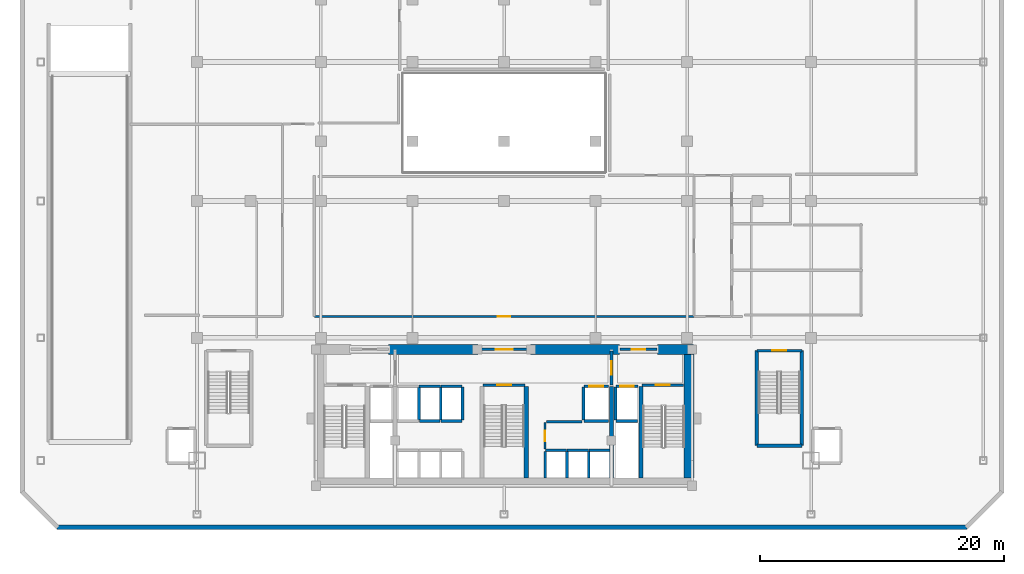
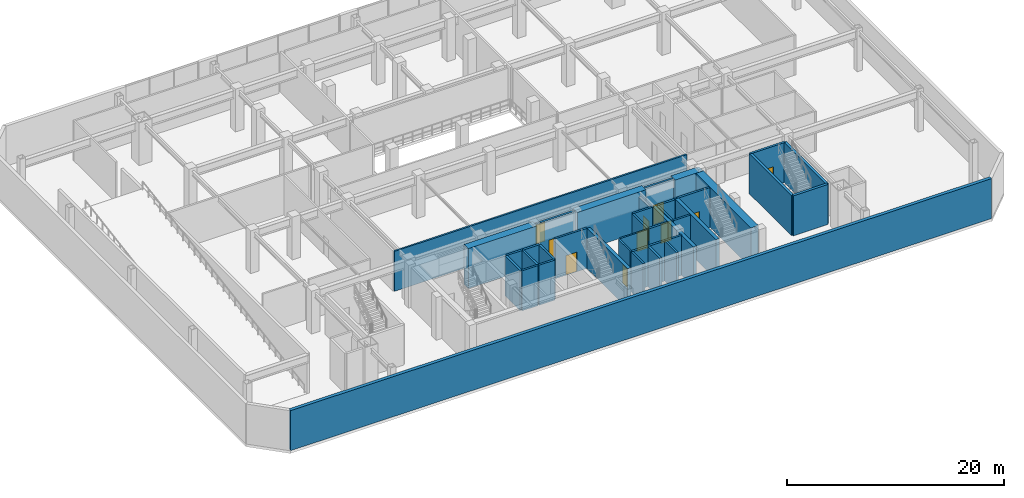
# One storey, part 11 of 15: 39 walls, 10 doors, 10 openings.
"""IFC4 building model written with IfcOpenShell, lengths in metres."""

from ifc_helpers import new_model, si_unit, direction, frame, frame_2d, origin, place, context, subcontext, project, spatial, rectangle, extrude, material, layer, layer_set, type_object, element, fill, save


model = new_model("IFC4")

# Units and contexts
model_context = context("Model", 3, precision=1e-05, world=origin(), true_north=direction((0.0, 1.0)))
body_context = subcontext(model_context, "Body", "Model", "MODEL_VIEW")
ifc_project = project(units=[si_unit("LENGTHUNIT", "METRE"), si_unit("AREAUNIT", "SQUARE_METRE"), si_unit("VOLUMEUNIT", "CUBIC_METRE"), si_unit("PLANEANGLEUNIT", "RADIAN"), si_unit("MASSUNIT", "GRAM", prefix="KILO")], contexts=[model_context])

# Site, building, storey
site_placement = place(None, origin())
site = spatial("IfcSite", under=ifc_project, at=site_placement, CompositionType="ELEMENT")
building_placement = place(site_placement, origin())
building = spatial("IfcBuilding", under=site, at=building_placement, Name="Ventersveld Concourse Tower", CompositionType="ELEMENT")
storey_placement = place(building_placement, frame((0.0, 0.0, 5.39990234375)))
storey = spatial("IfcBuildingStorey", under=building, at=storey_placement, Name="L01", CompositionType="ELEMENT", Elevation=5.39990234375)

# Walls
ifc_material_1 = material(Name="Concrete C60/75", Category="concrete")
ifc_layer_1 = layer(ifc_material_1, 0.35009765625)
ifc_layer_set_1 = layer_set([ifc_layer_1], Name="Concrete C60/75")
wall_type_1 = type_object("IfcWallType", Name="WL-CORE-350L", PredefinedType="SHEAR", material=ifc_layer_set_1)
for number, where, z_axis, x_axis, name in (
    (1, (30.56005859375, 0.919921875, 0.0), (0.0, 0.0, 1.0), (0.0, 1.0, 0.0), "L01 Core Internal Shear Web W-ST3-E"),
    (2, (37.550048828125, 0.919921875, 0.0), (0.0, 0.0, 1.0), (0.0, 1.0, 0.0), "L01 Core Internal Shear Web W-SVL-W"),
    (3, (39.9599609375, 0.919921875, 0.0), (0.0, 0.0, 1.0), (0.0, 1.0, 0.0), "L01 Core Internal Shear Web W-ST2-W"),
):
    element("IfcWall", number, at=place(storey_placement, frame(where, z_axis=z_axis, x_axis=x_axis)), inside=storey, type_object=wall_type_1, Name=name, PredefinedType="SHEAR", context=body_context, shape_type="SweptSolid", body=[
        extrude(rectangle(XDim=7.5, YDim=0.35009765625, at=frame_2d((3.75, 0.0))), origin(), (0.0, 0.0, 1.0), 4.5),
    ])
ifc_layer_2 = layer(ifc_material_1, 0.800048828125)
ifc_layer_set_2 = layer_set([ifc_layer_2], Name="Concrete C60/75")
wall_type_2 = type_object("IfcWallType", Name="WL-CORE-800", PredefinedType="SHEAR", material=ifc_layer_set_2)
wall_1_placement = place(storey_placement, frame((43.89990234375, 0.919921875, 0.0), z_axis=(0.0, 0.0, 1.0), x_axis=(0.0, 1.0, 0.0)))
element("IfcWall", 4, at=wall_1_placement, inside=storey, type_object=wall_type_2, Name="L01 Rear Core East Shear Wall", PredefinedType="SHEAR", context=body_context, shape_type="SweptSolid", body=[
    extrude(rectangle(XDim=10.530029296875, YDim=0.800048828125, at=frame_2d((5.26513671875, 0.0))), origin(), (0.0, 0.0, 1.0), 4.5),
])
for number, where, z_axis, x_axis, name in (
    (5, (19.300048828125, 11.449951171875, 0.0), (0.0, 0.0, 1.0), (1.0, 0.0, 0.0), "L01 Rear Core North Shear Wall NML"),
    (6, (30.89990234375, 11.449951171875, 0.0), (0.0, 0.0, 1.0), (1.0, 0.0, 0.0), "L01 Rear Core North Shear Wall NMR"),
):
    element("IfcWall", number, at=place(storey_placement, frame(where, z_axis=z_axis, x_axis=x_axis)), inside=storey, type_object=wall_type_2, Name=name, PredefinedType="SHEAR", context=body_context, shape_type="SweptSolid", body=[
        extrude(rectangle(XDim=7.300048828125, YDim=0.800048828125, at=frame_2d((3.64990234375, 0.0))), origin(), (0.0, 0.0, 1.0), 4.5),
    ])
wall_2_placement = place(storey_placement, frame((41.300048828125, 11.449951171875, 0.0), z_axis=(0.0, 0.0, 1.0), x_axis=(1.0, 0.0, 0.0)))
element("IfcWall", 7, at=wall_2_placement, inside=storey, type_object=wall_type_2, Name="L01 Rear Core North Shear Wall NE", PredefinedType="SHEAR", context=body_context, shape_type="SweptSolid", body=[
    extrude(rectangle(XDim=2.949951171875, YDim=0.800048828125, at=frame_2d((1.47509765625, 0.0))), origin(), (0.0, 0.0, 1.0), 4.5),
])

# Wall, opening, door
ifc_material_2 = material(Name="Fire-rated autoclaved aerated masonry blockwork", Category="masonry")
ifc_layer_3 = layer(ifc_material_2, 0.179931640625)
ifc_layer_set_3 = layer_set([ifc_layer_3], Name="Fire-rated autoclaved aerated masonry blockwork")
wall_type_3 = type_object("IfcWallType", Name="WL-CORR-180", PredefinedType="PARTITIONING", material=ifc_layer_set_3)
wall_3_placement = place(storey_placement, frame((32.10009765625, 3.280029296875, 0.0), z_axis=(0.0, 0.0, 1.0), x_axis=(0.0, 1.0, 0.0)))
wall_3 = element("IfcWall", 8, at=wall_3_placement, inside=storey, type_object=wall_type_3, Name="L01 Core Passage Wall SP-L01-CBAY2", PredefinedType="PARTITIONING", context=body_context, shape_type="SweptSolid", body=[
    extrude(rectangle(XDim=2.169921875, YDim=0.179931640625, at=frame_2d((1.0849609375, 0.0))), origin(), (0.0, 0.0, 1.0), 4.5),
])
opening_1_placement = place(wall_3_placement, frame((0.64501953125, 0.0, 0.0)))
opening_1 = element("IfcOpeningElement", 9, at=opening_1_placement, cuts=wall_3, Name="Opening FD5", PredefinedType="OPENING", context=body_context, shape_type="SweptSolid", body=[
    extrude(rectangle(XDim=0.8798828125, YDim=2.050048828125, at=frame_2d((0.43994140625, 1.02490234375))), frame((0.0, 0.10009765625, 0.0), z_axis=(0.0, -1.0, 0.0), x_axis=(1.0, 0.0, 0.0)), (0.0, 0.0, 1.0), 0.199951171875),
])
ifc_material_3 = material(Name="Galvanised painted steel", Category="steel")
door_type_1 = type_object("IfcDoorType", Name="DR-RISER-088", OperationType="NOTDEFINED", PredefinedType="DOOR", material=ifc_material_3)
door_1_placement = place(opening_1_placement, origin())
door_1 = element("IfcDoor", 10, at=door_1_placement, inside=storey, type_object=door_type_1, Name="L01 Core Room Door L01 Core Parcel and Mail Store (CD-L01-0085)", OperationType="SINGLE_SWING_RIGHT", OverallHeight=2.050048828125, OverallWidth=0.8798828125, PredefinedType="DOOR", context=body_context, shape_type="SweptSolid", body=[
    extrude(rectangle(XDim=0.8798828125, YDim=2.050048828125, at=frame_2d((0.43994140625, 1.02490234375))), frame((0.0, 0.02490234375, 0.0), z_axis=(0.0, -1.0, 0.0), x_axis=(1.0, 0.0, 0.0)), (0.0, 0.0, 1.0), 0.050048828125),
])
fill(opening_1, door_1)

# Wall
wall_4_placement = place(storey_placement, frame((32.219970703125, 5.530029296875, 0.0), z_axis=(0.0, 0.0, 1.0), x_axis=(1.0, 0.0, 0.0)))
element("IfcWall", 11, at=wall_4_placement, inside=storey, type_object=wall_type_3, Name="L01 Core Top Wall SP-L01-CBAY2", PredefinedType="PARTITIONING", context=body_context, shape_type="SweptSolid", body=[
    extrude(rectangle(XDim=2.900146484375, YDim=0.179931640625, at=frame_2d((1.4501953125, 0.0))), origin(), (0.0, 0.0, 1.0), 4.5),
])

# Wall, opening, door
wall_5_placement = place(storey_placement, frame((13.205078125, 14.14990234375, 0.0), z_axis=(0.0, 0.0, 1.0), x_axis=(1.0, 0.0, 0.0)))
wall_5 = element("IfcWall", 12, at=wall_5_placement, inside=storey, type_object=wall_type_3, Name="L01 Interior Partition SP-L01-GAL-SP-L01-RETC", PredefinedType="PARTITIONING", context=body_context, shape_type="SweptSolid", body=[
    extrude(rectangle(XDim=31.08984375, YDim=0.179931640625, at=frame_2d((15.544921875, 0.0))), origin(), (0.0, 0.0, 1.0), 4.5),
])
opening_2_placement = place(wall_5_placement, frame((15.044921875, 0.0, 0.0)))
opening_2 = element("IfcOpeningElement", 13, at=opening_2_placement, cuts=wall_5, Name="Opening FD3", PredefinedType="OPENING", context=body_context, shape_type="SweptSolid", body=[
    extrude(rectangle(XDim=1.0, YDim=2.14990234375, at=frame_2d((0.5, 1.074951171875))), frame((0.0, 0.10009765625, 0.0), z_axis=(0.0, -1.0, 0.0), x_axis=(1.0, 0.0, 0.0)), (0.0, 0.0, 1.0), 0.199951171875),
])
ifc_material_4 = material(Name="Solid-core hardwood veneer timber", Category="wood")
door_type_2 = type_object("IfcDoorType", Name="DR-FLAT-100", OperationType="NOTDEFINED", PredefinedType="DOOR", material=ifc_material_4)
door_2_placement = place(opening_2_placement, origin())
door_2 = element("IfcDoor", 14, at=door_2_placement, inside=storey, type_object=door_type_2, Name="L01 Interior Door SP-L01-GAL to SP-L01-RETC (D-L01-0086)", OperationType="SINGLE_SWING_RIGHT", OverallHeight=2.14990234375, OverallWidth=1.0, PredefinedType="DOOR", context=body_context, shape_type="SweptSolid", body=[
    extrude(rectangle(XDim=1.0, YDim=2.14990234375, at=frame_2d((0.5, 1.074951171875))), frame((0.0, 0.02490234375, 0.0), z_axis=(0.0, -1.0, 0.0), x_axis=(1.0, 0.0, 0.0)), (0.0, 0.0, 1.0), 0.050048828125),
])
fill(opening_2, door_2)

# Walls
ifc_layer_4 = layer(ifc_material_2, 0.219970703125)
ifc_layer_set_4 = layer_set([ifc_layer_4], Name="Fire-rated autoclaved aerated masonry blockwork")
wall_type_4 = type_object("IfcWallType", Name="WL-HOIST-220", PredefinedType="SOLIDWALL", material=ifc_layer_set_4)
wall_6_placement = place(storey_placement, frame((37.919921875, 5.590087890625, 0.0), z_axis=(0.0, 0.0, 1.0), x_axis=(1.0, 0.0, 0.0)))
element("IfcWall", 15, at=wall_6_placement, inside=storey, type_object=wall_type_4, Name="L01 Lift Hoistway Back Wall FFL-02", PredefinedType="SOLIDWALL", context=body_context, shape_type="SweptSolid", body=[
    extrude(rectangle(XDim=1.780029296875, YDim=0.219970703125, at=frame_2d((0.89013671875, 0.0))), origin(), (0.0, 0.0, 1.0), 4.5),
])
wall_7_placement = place(storey_placement, frame((37.8798828125, 5.64990234375, 0.0), z_axis=(0.0, 0.0, 1.0), x_axis=(0.0, 1.0, 0.0)))
element("IfcWall", 16, at=wall_7_placement, inside=storey, type_object=wall_type_4, Name="L01 Lift Hoistway Side Wall FFL-02W", PredefinedType="SOLIDWALL", context=body_context, shape_type="SweptSolid", body=[
    extrude(rectangle(XDim=2.7001953125, YDim=0.219970703125, at=frame_2d((1.35009765625, 0.0))), origin(), (0.0, 0.0, 1.0), 4.5),
])

# Wall, opening, door
wall_8_placement = place(storey_placement, frame((37.89990234375, 8.429931640625, 0.0), z_axis=(0.0, 0.0, 1.0), x_axis=(1.0, 0.0, 0.0)))
wall_8 = element("IfcWall", 17, at=wall_8_placement, inside=storey, type_object=wall_type_4, Name="L01 Lift Hoistway Front Wall FFL-02", PredefinedType="SOLIDWALL", context=body_context, shape_type="SweptSolid", body=[
    extrude(rectangle(XDim=1.820068359375, YDim=0.219970703125, at=frame_2d((0.91015625, 0.0))), origin(), (0.0, 0.0, 1.0), 4.5),
])
opening_3_placement = place(wall_8_placement, frame((0.35009765625, 0.0, 0.0)))
opening_3 = element("IfcOpeningElement", 18, at=opening_3_placement, cuts=wall_8, Name="Opening LD1", PredefinedType="OPENING", context=body_context, shape_type="SweptSolid", body=[
    extrude(rectangle(XDim=1.1201171875, YDim=2.25, at=frame_2d((0.56005859375, 1.125))), frame((0.0, 0.1201171875, 0.0), z_axis=(0.0, -1.0, 0.0), x_axis=(1.0, 0.0, 0.0)), (0.0, 0.0, 1.0), 0.239990234375),
])
ifc_material_5 = material(Name="Brushed stainless steel 316", Category="steel")
door_type_3 = type_object("IfcDoorType", Name="LD-FF-112", OperationType="SLIDING_TO_LEFT", PredefinedType="DOOR", material=ifc_material_5)
door_3_placement = place(opening_3_placement, origin())
door_3 = element("IfcDoor", 19, at=door_3_placement, inside=storey, type_object=door_type_3, Name="L01 Lift landing door FFL-02 (LD-L01-FFL-02)", OperationType="SLIDING_TO_RIGHT", OverallHeight=2.25, OverallWidth=1.1201171875, PredefinedType="DOOR", context=body_context, shape_type="SweptSolid", body=[
    extrude(rectangle(XDim=1.1201171875, YDim=2.25, at=frame_2d((0.56005859375, 1.125))), frame((0.0, 0.02490234375, 0.0), z_axis=(0.0, -1.0, 0.0), x_axis=(1.0, 0.0, 0.0)), (0.0, 0.0, 1.0), 0.050048828125),
])
fill(opening_3, door_3)

# Walls
wall_9_placement = place(storey_placement, frame((35.300048828125, 5.590087890625, 0.0), z_axis=(0.0, 0.0, 1.0), x_axis=(1.0, 0.0, 0.0)))
element("IfcWall", 20, at=wall_9_placement, inside=storey, type_object=wall_type_4, Name="L01 Lift Hoistway Back Wall SVL-01", PredefinedType="SOLIDWALL", context=body_context, shape_type="SweptSolid", body=[
    extrude(rectangle(XDim=2.0, YDim=0.219970703125, at=frame_2d((1.0, 0.0))), origin(), (0.0, 0.0, 1.0), 4.5),
])
wall_10_placement = place(storey_placement, frame((35.260009765625, 5.64990234375, 0.0), z_axis=(0.0, 0.0, 1.0), x_axis=(0.0, 1.0, 0.0)))
element("IfcWall", 21, at=wall_10_placement, inside=storey, type_object=wall_type_4, Name="L01 Lift Hoistway Side Wall SVL-01W", PredefinedType="SOLIDWALL", context=body_context, shape_type="SweptSolid", body=[
    extrude(rectangle(XDim=2.7001953125, YDim=0.219970703125, at=frame_2d((1.35009765625, 0.0))), origin(), (0.0, 0.0, 1.0), 4.5),
])

# Wall, opening, door
wall_11_placement = place(storey_placement, frame((35.280029296875, 8.429931640625, 0.0), z_axis=(0.0, 0.0, 1.0), x_axis=(1.0, 0.0, 0.0)))
wall_11 = element("IfcWall", 22, at=wall_11_placement, inside=storey, type_object=wall_type_4, Name="L01 Lift Hoistway Front Wall SVL-01", PredefinedType="SOLIDWALL", context=body_context, shape_type="SweptSolid", body=[
    extrude(rectangle(XDim=2.0400390625, YDim=0.219970703125, at=frame_2d((1.02001953125, 0.0))), origin(), (0.0, 0.0, 1.0), 4.5),
])
opening_4_placement = place(wall_11_placement, frame((0.429931640625, 0.0, 0.0)))
opening_4 = element("IfcOpeningElement", 23, at=opening_4_placement, cuts=wall_11, Name="Opening LD2", PredefinedType="OPENING", context=body_context, shape_type="SweptSolid", body=[
    extrude(rectangle(XDim=1.179931640625, YDim=2.199951171875, at=frame_2d((0.58984375, 1.10009765625))), frame((0.0, 0.1201171875, 0.0), z_axis=(0.0, -1.0, 0.0), x_axis=(1.0, 0.0, 0.0)), (0.0, 0.0, 1.0), 0.239990234375),
])
door_type_4 = type_object("IfcDoorType", Name="LD-PAX-118", OperationType="SLIDING_TO_LEFT", PredefinedType="DOOR", material=ifc_material_5)
door_4_placement = place(opening_4_placement, origin())
door_4 = element("IfcDoor", 24, at=door_4_placement, inside=storey, type_object=door_type_4, Name="L01 Lift landing door SVL-01 (LD-L01-SVL-01)", OperationType="SLIDING_TO_LEFT", OverallHeight=2.199951171875, OverallWidth=1.179931640625, PredefinedType="DOOR", context=body_context, shape_type="SweptSolid", body=[
    extrude(rectangle(XDim=1.179931640625, YDim=2.199951171875, at=frame_2d((0.58984375, 1.10009765625))), frame((0.0, 0.02490234375, 0.0), z_axis=(0.0, -1.0, 0.0), x_axis=(1.0, 0.0, 0.0)), (0.0, 0.0, 1.0), 0.050048828125),
])
fill(opening_4, door_4)

# Walls
for number, where, z_axis, x_axis, name in (
    (25, (32.1201171875, 0.89990234375, 0.0), (0.0, 0.0, 1.0), (0.0, 1.0, 0.0), "L01 Lift Hoistway Side Wall PM-01W"),
    (26, (33.89990234375, 0.89990234375, 0.0), (0.0, 0.0, 1.0), (0.0, 1.0, 0.0), "L01 Lift Hoistway Side Wall PM-01E"),
):
    element("IfcWall", number, at=place(storey_placement, frame(where, z_axis=z_axis, x_axis=x_axis)), inside=storey, type_object=wall_type_4, Name=name, PredefinedType="SOLIDWALL", context=body_context, shape_type="SweptSolid", body=[
        extrude(rectangle(XDim=2.2001953125, YDim=0.219970703125, at=frame_2d((1.10009765625, 0.0))), origin(), (0.0, 0.0, 1.0), 4.5),
    ])
wall_12_placement = place(storey_placement, frame((32.139892578125, 3.179931640625, 0.0), z_axis=(0.0, 0.0, 1.0), x_axis=(1.0, 0.0, 0.0)))
element("IfcWall", 27, at=wall_12_placement, inside=storey, type_object=wall_type_4, Name="L01 Lift Hoistway Front Wall PM-01", PredefinedType="SOLIDWALL", context=body_context, shape_type="SweptSolid", body=[
    extrude(rectangle(XDim=1.739990234375, YDim=0.219970703125, at=frame_2d((0.8701171875, 0.0))), origin(), (0.0, 0.0, 1.0), 4.5),
])
wall_13_placement = place(storey_placement, frame((35.679931640625, 0.89990234375, 0.0), z_axis=(0.0, 0.0, 1.0), x_axis=(0.0, 1.0, 0.0)))
element("IfcWall", 28, at=wall_13_placement, inside=storey, type_object=wall_type_4, Name="L01 Lift Hoistway Side Wall PM-02E", PredefinedType="SOLIDWALL", context=body_context, shape_type="SweptSolid", body=[
    extrude(rectangle(XDim=2.2001953125, YDim=0.219970703125, at=frame_2d((1.10009765625, 0.0))), origin(), (0.0, 0.0, 1.0), 4.5),
])
for number, where, z_axis, x_axis, name in (
    (29, (33.919921875, 3.179931640625, 0.0), (0.0, 0.0, 1.0), (1.0, 0.0, 0.0), "L01 Lift Hoistway Front Wall PM-02"),
    (30, (35.699951171875, 3.179931640625, 0.0), (0.0, 0.0, 1.0), (1.0, 0.0, 0.0), "L01 Lift Hoistway Front Wall PM-03"),
):
    element("IfcWall", number, at=place(storey_placement, frame(where, z_axis=z_axis, x_axis=x_axis)), inside=storey, type_object=wall_type_4, Name=name, PredefinedType="SOLIDWALL", context=body_context, shape_type="SweptSolid", body=[
        extrude(rectangle(XDim=1.739990234375, YDim=0.219970703125, at=frame_2d((0.8701171875, 0.0))), origin(), (0.0, 0.0, 1.0), 4.5),
    ])
wall_14_placement = place(storey_placement, frame((21.780029296875, 5.64990234375, 0.0), z_axis=(0.0, 0.0, 1.0), x_axis=(0.0, 1.0, 0.0)))
element("IfcWall", 31, at=wall_14_placement, inside=storey, type_object=wall_type_4, Name="L01 Lift Hoistway Side Wall PH-01E", PredefinedType="SOLIDWALL", context=body_context, shape_type="SweptSolid", body=[
    extrude(rectangle(XDim=2.7001953125, YDim=0.219970703125, at=frame_2d((1.35009765625, 0.0))), origin(), (0.0, 0.0, 1.0), 4.5),
])
wall_15_placement = place(storey_placement, frame((21.820068359375, 5.590087890625, 0.0), z_axis=(0.0, 0.0, 1.0), x_axis=(1.0, 0.0, 0.0)))
element("IfcWall", 32, at=wall_15_placement, inside=storey, type_object=wall_type_4, Name="L01 Lift Hoistway Back Wall PH-02", PredefinedType="SOLIDWALL", context=body_context, shape_type="SweptSolid", body=[
    extrude(rectangle(XDim=1.699951171875, YDim=0.219970703125, at=frame_2d((0.85009765625, 0.0))), origin(), (0.0, 0.0, 1.0), 4.5),
])
wall_16_placement = place(storey_placement, frame((23.56005859375, 5.64990234375, 0.0), z_axis=(0.0, 0.0, 1.0), x_axis=(0.0, 1.0, 0.0)))
element("IfcWall", 33, at=wall_16_placement, inside=storey, type_object=wall_type_4, Name="L01 Lift Hoistway Side Wall PH-02E", PredefinedType="SOLIDWALL", context=body_context, shape_type="SweptSolid", body=[
    extrude(rectangle(XDim=2.7001953125, YDim=0.219970703125, at=frame_2d((1.35009765625, 0.0))), origin(), (0.0, 0.0, 1.0), 4.5),
])
wall_17_placement = place(storey_placement, frame((21.800048828125, 8.429931640625, 0.0), z_axis=(0.0, 0.0, 1.0), x_axis=(1.0, 0.0, 0.0)))
element("IfcWall", 34, at=wall_17_placement, inside=storey, type_object=wall_type_4, Name="L01 Lift Hoistway Front Wall PH-02", PredefinedType="SOLIDWALL", context=body_context, shape_type="SweptSolid", body=[
    extrude(rectangle(XDim=1.739990234375, YDim=0.219970703125, at=frame_2d((0.8701171875, 0.0))), origin(), (0.0, 0.0, 1.0), 4.5),
])
wall_18_placement = place(storey_placement, frame((23.60009765625, 5.590087890625, 0.0), z_axis=(0.0, 0.0, 1.0), x_axis=(1.0, 0.0, 0.0)))
element("IfcWall", 35, at=wall_18_placement, inside=storey, type_object=wall_type_4, Name="L01 Lift Hoistway Back Wall PH-03", PredefinedType="SOLIDWALL", context=body_context, shape_type="SweptSolid", body=[
    extrude(rectangle(XDim=1.699951171875, YDim=0.219970703125, at=frame_2d((0.85009765625, 0.0))), origin(), (0.0, 0.0, 1.0), 4.5),
])
wall_19_placement = place(storey_placement, frame((25.340087890625, 5.64990234375, 0.0), z_axis=(0.0, 0.0, 1.0), x_axis=(0.0, 1.0, 0.0)))
element("IfcWall", 36, at=wall_19_placement, inside=storey, type_object=wall_type_4, Name="L01 Lift Hoistway Side Wall PH-03E", PredefinedType="SOLIDWALL", context=body_context, shape_type="SweptSolid", body=[
    extrude(rectangle(XDim=2.7001953125, YDim=0.219970703125, at=frame_2d((1.35009765625, 0.0))), origin(), (0.0, 0.0, 1.0), 4.5),
])
wall_20_placement = place(storey_placement, frame((23.580078125, 8.429931640625, 0.0), z_axis=(0.0, 0.0, 1.0), x_axis=(1.0, 0.0, 0.0)))
element("IfcWall", 37, at=wall_20_placement, inside=storey, type_object=wall_type_4, Name="L01 Lift Hoistway Front Wall PH-03", PredefinedType="SOLIDWALL", context=body_context, shape_type="SweptSolid", body=[
    extrude(rectangle(XDim=1.739990234375, YDim=0.219970703125, at=frame_2d((0.8701171875, 0.0))), origin(), (0.0, 0.0, 1.0), 4.5),
])

# Wall, opening, door
wall_21_placement = place(storey_placement, frame((40.06005859375, 8.52001953125, 0.0), z_axis=(0.0, 0.0, 1.0), x_axis=(1.0, 0.0, 0.0)))
wall_21 = element("IfcWall", 38, at=wall_21_placement, inside=storey, type_object=wall_type_4, Name="L01 Escape Stair ST02 Fire Wall", PredefinedType="SOLIDWALL", context=body_context, shape_type="SweptSolid", body=[
    extrude(rectangle(XDim=3.39990234375, YDim=0.219970703125, at=frame_2d((1.699951171875, 0.0))), origin(), (0.0, 0.0, 1.0), 4.5),
])
opening_5_placement = place(wall_21_placement, frame((1.125, 0.0, 0.0)))
opening_5 = element("IfcOpeningElement", 39, at=opening_5_placement, cuts=wall_21, Name="Opening FD1", PredefinedType="OPENING", context=body_context, shape_type="SweptSolid", body=[
    extrude(rectangle(XDim=1.14990234375, YDim=2.199951171875, at=frame_2d((0.574951171875, 1.10009765625))), frame((0.0, 0.1201171875, 0.0), z_axis=(0.0, -1.0, 0.0), x_axis=(1.0, 0.0, 0.0)), (0.0, 0.0, 1.0), 0.239990234375),
])
door_type_5 = type_object("IfcDoorType", Name="DR-STAIR-115", OperationType="NOTDEFINED", PredefinedType="DOOR", material=ifc_material_3)
door_5_placement = place(opening_5_placement, origin())
door_5 = element("IfcDoor", 40, at=door_5_placement, inside=storey, type_object=door_type_5, Name="L01 Escape Stair Door ST02 (SD-L01-0076)", OperationType="SINGLE_SWING_RIGHT", OverallHeight=2.199951171875, OverallWidth=1.14990234375, PredefinedType="DOOR", context=body_context, shape_type="SweptSolid", body=[
    extrude(rectangle(XDim=1.14990234375, YDim=2.199951171875, at=frame_2d((0.574951171875, 1.10009765625))), frame((0.0, 0.02490234375, 0.0), z_axis=(0.0, -1.0, 0.0), x_axis=(1.0, 0.0, 0.0)), (0.0, 0.0, 1.0), 0.050048828125),
])
fill(opening_5, door_5)

wall_22_placement = place(storey_placement, frame((27.0400390625, 8.52001953125, 0.0), z_axis=(0.0, 0.0, 1.0), x_axis=(1.0, 0.0, 0.0)))
wall_22 = element("IfcWall", 41, at=wall_22_placement, inside=storey, type_object=wall_type_4, Name="L01 Escape Stair ST03 Fire Wall", PredefinedType="SOLIDWALL", context=body_context, shape_type="SweptSolid", body=[
    extrude(rectangle(XDim=3.419921875, YDim=0.219970703125, at=frame_2d((1.7099609375, 0.0))), origin(), (0.0, 0.0, 1.0), 4.5),
])
opening_6_placement = place(wall_22_placement, frame((1.135009765625, 0.0, 0.0)))
opening_6 = element("IfcOpeningElement", 42, at=opening_6_placement, cuts=wall_22, Name="Opening FD1", PredefinedType="OPENING", context=body_context, shape_type="SweptSolid", body=[
    extrude(rectangle(XDim=1.14990234375, YDim=2.199951171875, at=frame_2d((0.574951171875, 1.10009765625))), frame((0.0, 0.1201171875, 0.0), z_axis=(0.0, -1.0, 0.0), x_axis=(1.0, 0.0, 0.0)), (0.0, 0.0, 1.0), 0.239990234375),
])
door_6_placement = place(opening_6_placement, origin())
door_6 = element("IfcDoor", 43, at=door_6_placement, inside=storey, type_object=door_type_5, Name="L01 Escape Stair Door ST03 (SD-L01-0077)", OperationType="SINGLE_SWING_LEFT", OverallHeight=2.199951171875, OverallWidth=1.14990234375, PredefinedType="DOOR", context=body_context, shape_type="SweptSolid", body=[
    extrude(rectangle(XDim=1.14990234375, YDim=2.199951171875, at=frame_2d((0.574951171875, 1.10009765625))), frame((0.0, 0.02490234375, 0.0), z_axis=(0.0, -1.0, 0.0), x_axis=(1.0, 0.0, 0.0)), (0.0, 0.0, 1.0), 0.050048828125),
])
fill(opening_6, door_6)

wall_23_placement = place(storey_placement, frame((49.4599609375, 11.35009765625, 0.0), z_axis=(0.0, 0.0, 1.0), x_axis=(1.0, 0.0, 0.0)))
wall_23 = element("IfcWall", 44, at=wall_23_placement, inside=storey, type_object=wall_type_4, Name="L01 Escape Stair ST05 Fire Wall", PredefinedType="SOLIDWALL", context=body_context, shape_type="SweptSolid", body=[
    extrude(rectangle(XDim=3.679931640625, YDim=0.219970703125, at=frame_2d((1.83984375, 0.0))), origin(), (0.0, 0.0, 1.0), 4.5),
])
opening_7_placement = place(wall_23_placement, frame((1.264892578125, 0.0, 0.0)))
opening_7 = element("IfcOpeningElement", 45, at=opening_7_placement, cuts=wall_23, Name="Opening FD1", PredefinedType="OPENING", context=body_context, shape_type="SweptSolid", body=[
    extrude(rectangle(XDim=1.14990234375, YDim=2.199951171875, at=frame_2d((0.574951171875, 1.10009765625))), frame((0.0, 0.1201171875, 0.0), z_axis=(0.0, -1.0, 0.0), x_axis=(1.0, 0.0, 0.0)), (0.0, 0.0, 1.0), 0.239990234375),
])
door_7_placement = place(opening_7_placement, origin())
door_7 = element("IfcDoor", 46, at=door_7_placement, inside=storey, type_object=door_type_5, Name="L01 Escape Stair Door ST05 (SD-L01-0079)", OperationType="SINGLE_SWING_LEFT", OverallHeight=2.199951171875, OverallWidth=1.14990234375, PredefinedType="DOOR", context=body_context, shape_type="SweptSolid", body=[
    extrude(rectangle(XDim=1.14990234375, YDim=2.199951171875, at=frame_2d((0.574951171875, 1.10009765625))), frame((0.0, 0.02490234375, 0.0), z_axis=(0.0, -1.0, 0.0), x_axis=(1.0, 0.0, 0.0)), (0.0, 0.0, 1.0), 0.050048828125),
])
fill(opening_7, door_7)

wall_24_placement = place(storey_placement, frame((37.550048828125, 8.52001953125, 0.0), z_axis=(0.0, 0.0, 1.0), x_axis=(0.0, 1.0, 0.0)))
wall_24 = element("IfcWall", 47, at=wall_24_placement, inside=storey, type_object=wall_type_4, Name="L01 Firefighting Lobby Smoke-Stop Wall FFLE-SEP", PredefinedType="SOLIDWALL", context=body_context, shape_type="SweptSolid", body=[
    extrude(rectangle(XDim=2.800048828125, YDim=0.219970703125, at=frame_2d((1.39990234375, 0.0))), origin(), (0.0, 0.0, 1.0), 3.95556640625),
])
opening_8_placement = place(wall_24_placement, frame((0.85009765625, 0.0, 0.0)))
opening_8 = element("IfcOpeningElement", 48, at=opening_8_placement, cuts=wall_24, Name="Opening FD2", PredefinedType="OPENING", context=body_context, shape_type="SweptSolid", body=[
    extrude(rectangle(XDim=1.10009765625, YDim=2.199951171875, at=frame_2d((0.550048828125, 1.10009765625))), frame((0.0, 0.1201171875, 0.0), z_axis=(0.0, -1.0, 0.0), x_axis=(1.0, 0.0, 0.0)), (0.0, 0.0, 1.0), 0.239990234375),
])
door_type_6 = type_object("IfcDoorType", Name="DR-FFL-110", OperationType="NOTDEFINED", PredefinedType="DOOR", material=ifc_material_3)
door_8_placement = place(opening_8_placement, origin())
door_8 = element("IfcDoor", 49, at=door_8_placement, inside=storey, type_object=door_type_6, Name="L01 Firefighting Lobby Door FFLE-SEP (FD-L01-0081)", OperationType="SINGLE_SWING_RIGHT", OverallHeight=2.199951171875, OverallWidth=1.10009765625, PredefinedType="DOOR", context=body_context, shape_type="SweptSolid", body=[
    extrude(rectangle(XDim=1.10009765625, YDim=2.199951171875, at=frame_2d((0.550048828125, 1.10009765625))), frame((0.0, 0.02490234375, 0.0), z_axis=(0.0, -1.0, 0.0), x_axis=(1.0, 0.0, 0.0)), (0.0, 0.0, 1.0), 0.050048828125),
])
fill(opening_8, door_8)

wall_25_placement = place(storey_placement, frame((26.6298828125, 11.449951171875, 0.0), z_axis=(0.0, 0.0, 1.0), x_axis=(1.0, 0.0, 0.0)))
wall_25 = element("IfcWall", 50, at=wall_25_placement, inside=storey, type_object=wall_type_4, Name="L01 Core North Fire Portal PLOB-OUT", PredefinedType="SOLIDWALL", context=body_context, shape_type="SweptSolid", body=[
    extrude(rectangle(XDim=4.240234375, YDim=0.219970703125, at=frame_2d((2.1201171875, 0.0))), origin(), (0.0, 0.0, 1.0), 4.5),
])
opening_9_placement = place(wall_25_placement, frame((1.419921875, 0.0, 0.0)))
opening_9 = element("IfcOpeningElement", 51, at=opening_9_placement, cuts=wall_25, Name="Opening FD4", PredefinedType="OPENING", context=body_context, shape_type="SweptSolid", body=[
    extrude(rectangle(XDim=1.39990234375, YDim=2.199951171875, at=frame_2d((0.699951171875, 1.10009765625))), frame((0.0, 0.1201171875, 0.0), z_axis=(0.0, -1.0, 0.0), x_axis=(1.0, 0.0, 0.0)), (0.0, 0.0, 1.0), 0.239990234375),
])
door_type_7 = type_object("IfcDoorType", Name="DR-PLANT-140", OperationType="DOUBLE_DOOR_SINGLE_SWING", PredefinedType="DOOR", material=ifc_material_3)
door_9_placement = place(opening_9_placement, origin())
door_9 = element("IfcDoor", 52, at=door_9_placement, inside=storey, type_object=door_type_7, Name="L01 Core Lobby Fire Door PLOB-OUT (FD-L01-0083)", OperationType="DOUBLE_DOOR_SINGLE_SWING", OverallHeight=2.199951171875, OverallWidth=1.39990234375, PredefinedType="DOOR", context=body_context, shape_type="SweptSolid", body=[
    extrude(rectangle(XDim=1.39990234375, YDim=2.199951171875, at=frame_2d((0.699951171875, 1.10009765625))), frame((0.0, 0.02490234375, 0.0), z_axis=(0.0, -1.0, 0.0), x_axis=(1.0, 0.0, 0.0)), (0.0, 0.0, 1.0), 0.050048828125),
])
fill(opening_9, door_9)

wall_26_placement = place(storey_placement, frame((38.22998046875, 11.449951171875, 0.0), z_axis=(0.0, 0.0, 1.0), x_axis=(1.0, 0.0, 0.0)))
wall_26 = element("IfcWall", 53, at=wall_26_placement, inside=storey, type_object=wall_type_4, Name="L01 Core North Fire Portal FFLE-OUT", PredefinedType="SOLIDWALL", context=body_context, shape_type="SweptSolid", body=[
    extrude(rectangle(XDim=3.0400390625, YDim=0.219970703125, at=frame_2d((1.52001953125, 0.0))), origin(), (0.0, 0.0, 1.0), 4.5),
])
opening_10_placement = place(wall_26_placement, frame((0.969970703125, 0.0, 0.0)))
opening_10 = element("IfcOpeningElement", 54, at=opening_10_placement, cuts=wall_26, Name="Opening FD2", PredefinedType="OPENING", context=body_context, shape_type="SweptSolid", body=[
    extrude(rectangle(XDim=1.10009765625, YDim=2.199951171875, at=frame_2d((0.550048828125, 1.10009765625))), frame((0.0, 0.1201171875, 0.0), z_axis=(0.0, -1.0, 0.0), x_axis=(1.0, 0.0, 0.0)), (0.0, 0.0, 1.0), 0.239990234375),
])
door_10_placement = place(opening_10_placement, origin())
door_10 = element("IfcDoor", 55, at=door_10_placement, inside=storey, type_object=door_type_6, Name="L01 Core Lobby Fire Door FFLE-OUT (FD-L01-0084)", OperationType="SINGLE_SWING_LEFT", OverallHeight=2.199951171875, OverallWidth=1.10009765625, PredefinedType="DOOR", context=body_context, shape_type="SweptSolid", body=[
    extrude(rectangle(XDim=1.10009765625, YDim=2.199951171875, at=frame_2d((0.550048828125, 1.10009765625))), frame((0.0, 0.02490234375, 0.0), z_axis=(0.0, -1.0, 0.0), x_axis=(1.0, 0.0, 0.0)), (0.0, 0.0, 1.0), 0.050048828125),
])
fill(opening_10, door_10)

# Walls
ifc_material_6 = material(Name="Precast concrete C45/55", Category="concrete")
ifc_layer_5 = layer(ifc_material_6, 0.35009765625)
ifc_layer_set_5 = layer_set([ifc_layer_5], Name="Precast concrete C45/55")
wall_type_5 = type_object("IfcWallType", Name="WL-PREC-350", PredefinedType="SOLIDWALL", material=ifc_layer_set_5)
wall_27_placement = place(storey_placement, frame((-7.860107421875, -3.1201171875, 0.0), z_axis=(0.0, 0.0, 1.0), x_axis=(1.0, 0.0, 0.0)))
element("IfcWall", 56, at=wall_27_placement, inside=storey, type_object=wall_type_5, Name="L01 Podium Precast Perimeter Wall 01", PredefinedType="SOLIDWALL", context=body_context, shape_type="SweptSolid", body=[
    extrude(rectangle(XDim=74.52001953125, YDim=0.35009765625, at=frame_2d((37.260009765625, 0.0))), origin(), (0.0, 0.0, 1.0), 4.5),
])
ifc_material_7 = material(Name="Concrete C50/60", Category="concrete")
ifc_layer_6 = layer(ifc_material_7, 0.280029296875)
ifc_layer_set_6 = layer_set([ifc_layer_6], Name="Concrete C50/60")
wall_type_6 = type_object("IfcWallType", Name="WL-SHAFT-280", PredefinedType="SHEAR", material=ifc_layer_set_6)
wall_28_placement = place(storey_placement, frame((49.4599609375, 3.56005859375, 0.0), z_axis=(0.0, 0.0, 1.0), x_axis=(1.0, 0.0, 0.0)))
element("IfcWall", 57, at=wall_28_placement, inside=storey, type_object=wall_type_6, Name="L01 ST05 Structural Shaft Wall S", PredefinedType="SHEAR", context=body_context, shape_type="SweptSolid", body=[
    extrude(rectangle(XDim=3.679931640625, YDim=0.280029296875, at=frame_2d((1.83984375, 0.0))), origin(), (0.0, 0.0, 1.0), 4.5),
])
for number, where, z_axis, x_axis, name in (
    (58, (49.4599609375, 3.56005859375, 0.0), (0.0, 0.0, 1.0), (0.0, 1.0, 0.0), "L01 ST05 Structural Shaft Wall W"),
    (59, (53.139892578125, 3.56005859375, 0.0), (0.0, 0.0, 1.0), (0.0, 1.0, 0.0), "L01 ST05 Structural Shaft Wall E"),
):
    element("IfcWall", number, at=place(storey_placement, frame(where, z_axis=z_axis, x_axis=x_axis)), inside=storey, type_object=wall_type_6, Name=name, PredefinedType="SHEAR", context=body_context, shape_type="SweptSolid", body=[
        extrude(rectangle(XDim=7.7900390625, YDim=0.280029296875, at=frame_2d((3.89501953125, 0.0))), origin(), (0.0, 0.0, 1.0), 4.5),
    ])

save(model, "model.ifc")
